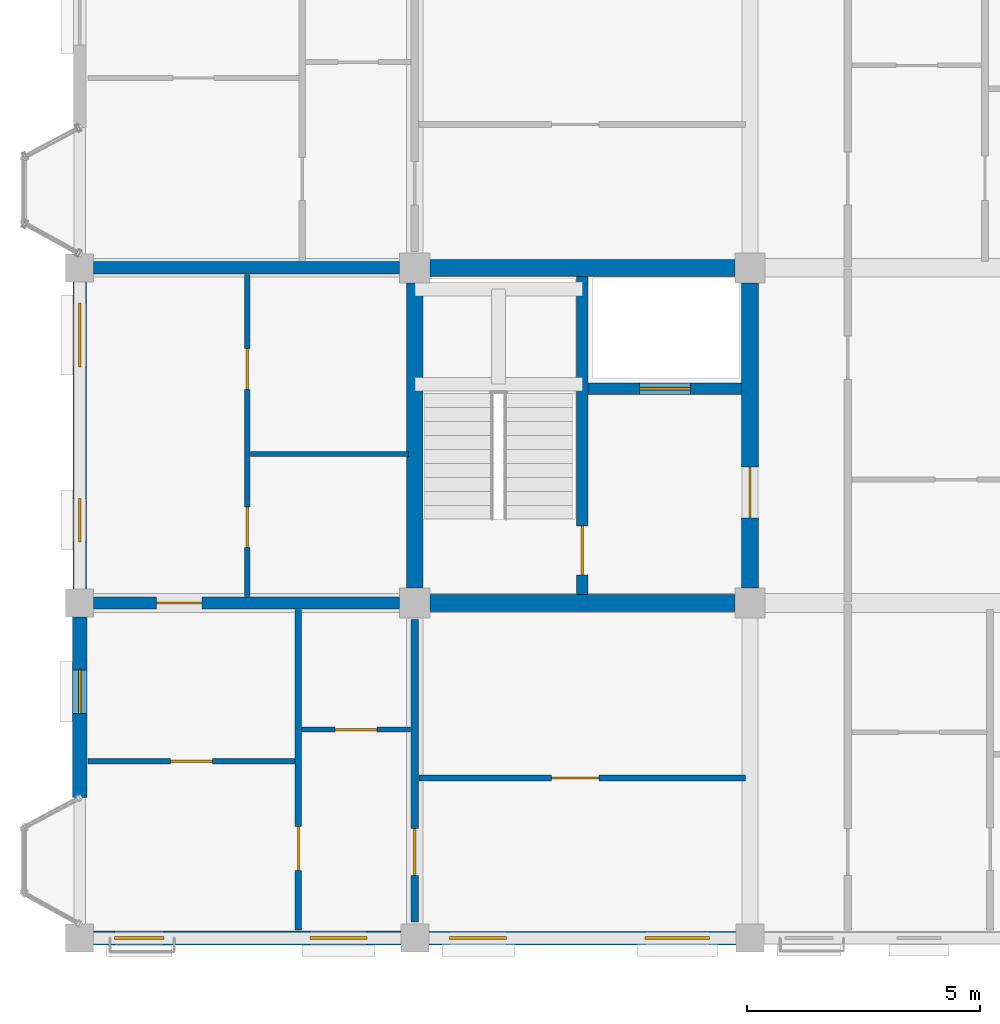
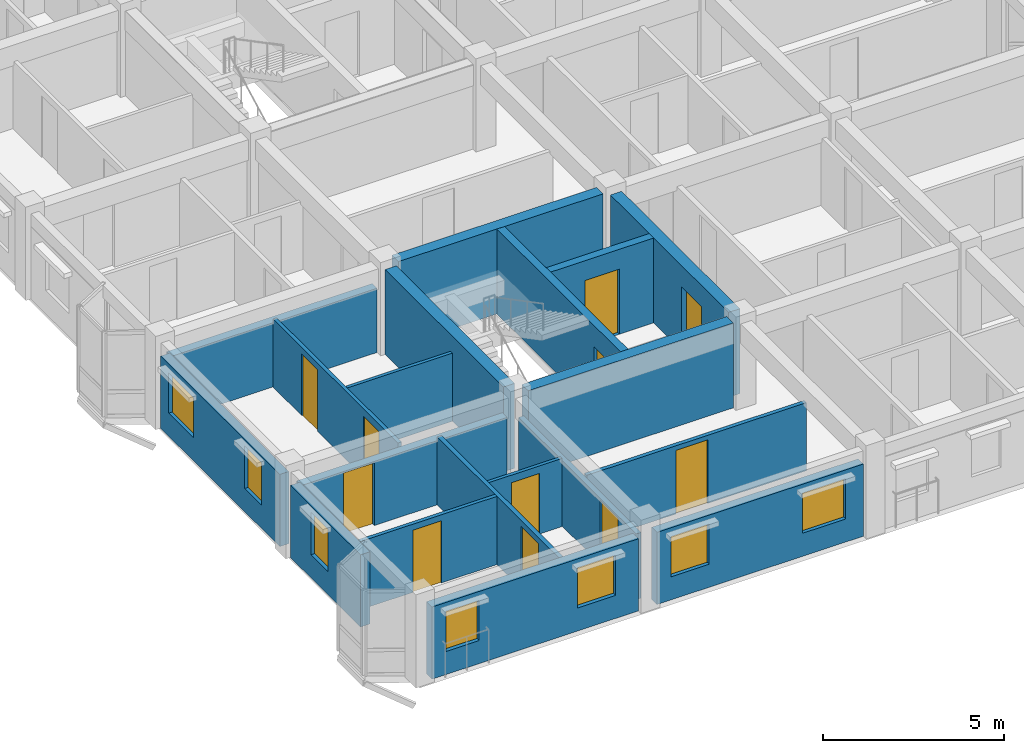
# One storey, part 89 of 124: 19 walls, 11 doors, 7 windows, 18 openings.
"""IFC4 building model written with IfcOpenShell, lengths in metres."""

from ifc_helpers import new_model, si_unit, direction, frame, frame_2d, origin, place, context, subcontext, project, spatial, rectangle, extrude, material, layer, layer_set, type_object, element, fill, save


model = new_model("IFC4")

# Units and contexts
model_context = context("Model", 3, precision=1e-05, world=origin(), true_north=direction((0.0, 1.0)))
body_context = subcontext(model_context, "Body", "Model", "MODEL_VIEW")
ifc_project = project(units=[si_unit("LENGTHUNIT", "METRE"), si_unit("AREAUNIT", "SQUARE_METRE"), si_unit("VOLUMEUNIT", "CUBIC_METRE"), si_unit("PLANEANGLEUNIT", "RADIAN"), si_unit("MASSUNIT", "GRAM", prefix="KILO"), si_unit("THERMODYNAMICTEMPERATUREUNIT", "KELVIN"), si_unit("POWERUNIT", "WATT")], contexts=[model_context])

# Site, building, storey
site_placement = place(None, origin())
site = spatial("IfcSite", under=ifc_project, at=site_placement, CompositionType="ELEMENT")
building_placement = place(site_placement, origin())
building = spatial("IfcBuilding", under=site, at=building_placement, Name="Tavuni Mirador Residences", CompositionType="ELEMENT")
storey_placement = place(building_placement, frame((0.0, 0.0, 7.64990234375)))
storey = spatial("IfcBuildingStorey", under=building, at=storey_placement, Name="L02", CompositionType="ELEMENT", Elevation=7.64990234375)

# Wall, opening, door
ifc_material_1 = material(Name="Precast concrete C40/50", Category="concrete")
ifc_layer_1 = layer(ifc_material_1, 0.25, Name="Precast concrete C40/50", Category="concrete")
ifc_layer_set_1 = layer_set([ifc_layer_1], Name="Precast concrete C40/50")
wall_type_1 = type_object("IfcWallType", Name="WT-COR250", PredefinedType="SHEAR", material=ifc_layer_set_1)
wall_1_placement = place(storey_placement, frame((14.39990234375, 14.580078125, 0.0), z_axis=(0.0, 0.0, 1.0), x_axis=(0.0, 1.0, 0.0)))
wall_1 = element("IfcWall", 1, at=wall_1_placement, inside=storey, type_object=wall_type_1, Name="CWALL-C1-L02-MID", PredefinedType="SHEAR", context=body_context, shape_type="SweptSolid", body=[
    extrude(rectangle(XDim=6.83984375, YDim=0.25, at=frame_2d((3.419921875, 0.0))), origin(), (0.0, 0.0, 1.0), 2.8701171875),
])
opening_1_placement = place(wall_1_placement, frame((0.419921875, 0.0, 0.0)))
opening_1 = element("IfcOpeningElement", 2, at=opening_1_placement, cuts=wall_1, Name="Opening D-01", PredefinedType="OPENING", context=body_context, shape_type="SweptSolid", body=[
    extrude(rectangle(XDim=1.050048828125, YDim=2.14990234375, at=frame_2d((0.52490234375, 1.074951171875))), frame((0.0, 0.135009765625, 0.0), z_axis=(0.0, -1.0, 0.0), x_axis=(1.0, 0.0, 0.0)), (0.0, 0.0, 1.0), 0.27001953125),
])
ifc_material_2 = material(Name="Solid core iroko timber", Category="wood")
door_type_1 = type_object("IfcDoorType", Name="DT-ST1050", OperationType="NOTDEFINED", PredefinedType="DOOR", material=ifc_material_2)
door_1_placement = place(opening_1_placement, origin())
door_1 = element("IfcDoor", 3, at=door_1_placement, inside=storey, type_object=door_type_1, Name="DR-2013", OperationType="SINGLE_SWING_LEFT", OverallHeight=2.14990234375, OverallWidth=1.050048828125, PredefinedType="DOOR", context=body_context, shape_type="SweptSolid", body=[
    extrude(rectangle(XDim=1.050048828125, YDim=2.14990234375, at=frame_2d((0.52490234375, 1.074951171875))), frame((0.0, 0.02490234375, 0.0), z_axis=(0.0, -1.0, 0.0), x_axis=(1.0, 0.0, 0.0)), (0.0, 0.0, 1.0), 0.050048828125),
])
fill(opening_1, door_1)

wall_2_placement = place(storey_placement, frame((14.52490234375, 19.0, 0.0), z_axis=(0.0, 0.0, 1.0), x_axis=(1.0, 0.0, 0.0)))
wall_2 = element("IfcWall", 4, at=wall_2_placement, inside=storey, type_object=wall_type_1, Name="CWALL-C1-L02-SHF", PredefinedType="SHEAR", context=body_context, shape_type="SweptSolid", body=[
    extrude(rectangle(XDim=3.295166015625, YDim=0.25, at=frame_2d((1.6474609375, 0.0))), origin(), (0.0, 0.0, 1.0), 2.8701171875),
])
opening_2_placement = place(wall_2_placement, frame((1.10009765625, 0.0, 0.0)))
opening_2 = element("IfcOpeningElement", 5, at=opening_2_placement, cuts=wall_2, Name="Opening LD-01", PredefinedType="OPENING", context=body_context, shape_type="SweptSolid", body=[
    extrude(rectangle(XDim=1.10009765625, YDim=2.199951171875, at=frame_2d((0.550048828125, 1.10009765625))), frame((0.0, 0.135009765625, 0.0), z_axis=(0.0, -1.0, 0.0), x_axis=(1.0, 0.0, 0.0)), (0.0, 0.0, 1.0), 0.27001953125),
])
ifc_material_3 = material(Name="Structural steel S355", Category="steel")
door_type_2 = type_object("IfcDoorType", Name="DT-LD-FF", OperationType="SLIDING_TO_LEFT", PredefinedType="DOOR", material=ifc_material_3)
door_2_placement = place(opening_2_placement, origin())
door_2 = element("IfcDoor", 6, at=door_2_placement, inside=storey, type_object=door_type_2, Name="Lift landing door FL-A1 L02", OperationType="SLIDING_TO_LEFT", OverallHeight=2.199951171875, OverallWidth=1.10009765625, PredefinedType="DOOR", context=body_context, shape_type="SweptSolid", body=[
    extrude(rectangle(XDim=1.10009765625, YDim=2.199951171875, at=frame_2d((0.550048828125, 1.10009765625))), frame((0.0, 0.02490234375, 0.0), z_axis=(0.0, -1.0, 0.0), x_axis=(1.0, 0.0, 0.0)), (0.0, 0.0, 1.0), 0.050048828125),
])
fill(opening_2, door_2)

# Walls
ifc_layer_2 = layer(ifc_material_1, 0.360107421875, Name="Precast concrete C40/50", Category="concrete")
ifc_layer_set_2 = layer_set([ifc_layer_2], Name="Precast concrete C40/50")
wall_type_2 = type_object("IfcWallType", Name="WT-COR360", PredefinedType="SHEAR", material=ifc_layer_set_2)
wall_3_placement = place(storey_placement, frame((10.800048828125, 14.72509765625, 0.0), z_axis=(0.0, 0.0, 1.0), x_axis=(0.0, 1.0, 0.0)))
element("IfcWall", 7, at=wall_3_placement, inside=storey, type_object=wall_type_2, Name="CWALL-C1-L02-W", PredefinedType="SHEAR", context=body_context, shape_type="SweptSolid", body=[
    extrude(rectangle(XDim=6.5498046875, YDim=0.360107421875, at=frame_2d((3.27490234375, 0.0))), origin(), (0.0, 0.0, 1.0), 2.8701171875),
])
wall_4_placement = place(storey_placement, frame((11.125, 21.60009765625, 0.0), z_axis=(0.0, 0.0, 1.0), x_axis=(1.0, 0.0, 0.0)))
element("IfcWall", 8, at=wall_4_placement, inside=storey, type_object=wall_type_2, Name="CWALL-C1-L02-N", PredefinedType="SHEAR", context=body_context, shape_type="SweptSolid", body=[
    extrude(rectangle(XDim=6.550048828125, YDim=0.360107421875, at=frame_2d((3.27490234375, 0.0))), origin(), (0.0, 0.0, 1.0), 2.8701171875),
])

# Wall, opening, door
wall_5_placement = place(storey_placement, frame((18.0, 14.72509765625, 0.0), z_axis=(0.0, 0.0, 1.0), x_axis=(0.0, 1.0, 0.0)))
wall_5 = element("IfcWall", 9, at=wall_5_placement, inside=storey, type_object=wall_type_2, Name="CWALL-C1-L02-E", PredefinedType="SHEAR", context=body_context, shape_type="SweptSolid", body=[
    extrude(rectangle(XDim=6.5498046875, YDim=0.360107421875, at=frame_2d((3.27490234375, 0.0))), origin(), (0.0, 0.0, 1.0), 2.8701171875),
])
opening_3_placement = place(wall_5_placement, frame((1.5, 0.0, 0.0)))
opening_3 = element("IfcOpeningElement", 10, at=opening_3_placement, cuts=wall_5, Name="Opening D-02", PredefinedType="OPENING", context=body_context, shape_type="SweptSolid", body=[
    extrude(rectangle(XDim=1.10009765625, YDim=2.14990234375, at=frame_2d((0.550048828125, 1.074951171875))), frame((0.0, 0.18994140625, 0.0), z_axis=(0.0, -1.0, 0.0), x_axis=(1.0, 0.0, 0.0)), (0.0, 0.0, 1.0), 0.380126953125),
])
door_type_3 = type_object("IfcDoorType", Name="DT-LOB1100", OperationType="NOTDEFINED", PredefinedType="DOOR", material=ifc_material_2)
door_3_placement = place(opening_3_placement, frame((1.10009765625, 0.0, 0.0), z_axis=(0.0, 0.0, 1.0), x_axis=(-1.0, 0.0, 0.0)))
door_3 = element("IfcDoor", 11, at=door_3_placement, inside=storey, type_object=door_type_3, Name="DR-2012", OperationType="SINGLE_SWING_LEFT", OverallHeight=2.14990234375, OverallWidth=1.10009765625, PredefinedType="DOOR", context=body_context, shape_type="SweptSolid", body=[
    extrude(rectangle(XDim=1.10009765625, YDim=2.14990234375, at=frame_2d((0.550048828125, 1.074951171875))), frame((0.0, 0.02490234375, 0.0), z_axis=(0.0, -1.0, 0.0), x_axis=(1.0, 0.0, 0.0)), (0.0, 0.0, 1.0), 0.050048828125),
])
fill(opening_3, door_3)

# Wall
wall_6_placement = place(storey_placement, frame((11.125, 14.39990234375, 0.0), z_axis=(0.0, 0.0, 1.0), x_axis=(1.0, 0.0, 0.0)))
element("IfcWall", 12, at=wall_6_placement, inside=storey, type_object=wall_type_2, Name="CWALL-C1-L02-SS", PredefinedType="SHEAR", context=body_context, shape_type="SweptSolid", body=[
    extrude(rectangle(XDim=6.550048828125, YDim=0.360107421875, at=frame_2d((3.27490234375, 0.0))), origin(), (0.0, 0.0, 1.0), 2.8701171875),
])

# Wall, opening, door
ifc_layer_3 = layer(ifc_material_1, 0.1650390625, Name="Precast concrete C40/50", Category="concrete")
ifc_layer_set_3 = layer_set([ifc_layer_3], Name="Precast concrete C40/50")
wall_type_3 = type_object("IfcWallType", Name="WT-CORR165", PredefinedType="PARTITIONING", material=ifc_layer_set_3)
wall_7_placement = place(storey_placement, frame((10.800048828125, 7.550048828125, 0.0), z_axis=(0.0, 0.0, 1.0), x_axis=(0.0, 1.0, 0.0)))
wall_7 = element("IfcWall", 13, at=wall_7_placement, inside=storey, type_object=wall_type_3, Name="CORW-BLK-A-L02-1-00", PredefinedType="PARTITIONING", context=body_context, shape_type="SweptSolid", body=[
    extrude(rectangle(XDim=6.5, YDim=0.1650390625, at=frame_2d((3.25, 0.0))), origin(), (0.0, 0.0, 1.0), 2.22021484375),
])
opening_4_placement = place(wall_7_placement, frame((1.0, 0.0, 0.0)))
opening_4 = element("IfcOpeningElement", 14, at=opening_4_placement, cuts=wall_7, Name="Opening D-03", PredefinedType="OPENING", context=body_context, shape_type="SweptSolid", body=[
    extrude(rectangle(XDim=1.0, YDim=2.14990234375, at=frame_2d((0.5, 1.074951171875))), frame((0.0, 0.092529296875, 0.0), z_axis=(0.0, -1.0, 0.0), x_axis=(1.0, 0.0, 0.0)), (0.0, 0.0, 1.0), 0.18505859375),
])
door_type_4 = type_object("IfcDoorType", Name="DT-FD60-1000", OperationType="NOTDEFINED", PredefinedType="DOOR", material=ifc_material_2)
door_4_placement = place(opening_4_placement, origin())
door_4 = element("IfcDoor", 15, at=door_4_placement, inside=storey, type_object=door_type_4, Name="DR-2409", OperationType="SINGLE_SWING_RIGHT", OverallHeight=2.14990234375, OverallWidth=1.0, PredefinedType="DOOR", context=body_context, shape_type="SweptSolid", body=[
    extrude(rectangle(XDim=1.0, YDim=2.14990234375, at=frame_2d((0.5, 1.074951171875))), frame((0.0, 0.02490234375, 0.0), z_axis=(0.0, -1.0, 0.0), x_axis=(1.0, 0.0, 0.0)), (0.0, 0.0, 1.0), 0.050048828125),
])
fill(opening_4, door_4)

# Wall, openings, windows
ifc_material_4 = material(Name="Sgraffito lime-rendered precast concrete C40/50", Category="concrete")
ifc_layer_4 = layer(ifc_material_4, 0.2900390625, Name="Sgraffito lime-rendered precast concrete C40/50", Category="concrete")
ifc_layer_set_4 = layer_set([ifc_layer_4], Name="Sgraffito lime-rendered precast concrete C40/50")
wall_type_4 = type_object("IfcWallType", Name="WT-EXT-PC290", PredefinedType="SOLIDWALL", material=ifc_layer_set_4)
wall_8_placement = place(storey_placement, frame((11.10009765625, 7.199951171875, 0.0), z_axis=(0.0, 0.0, 1.0), x_axis=(1.0, 0.0, 0.0)))
wall_8 = element("IfcWall", 16, at=wall_8_placement, inside=storey, type_object=wall_type_4, Name="EW-BLK-A-L02-S01", PredefinedType="SOLIDWALL", context=body_context, shape_type="SweptSolid", body=[
    extrude(rectangle(XDim=6.599853515625, YDim=0.2900390625, at=frame_2d((3.2998046875, 0.0))), origin(), (0.0, 0.0, 1.0), 2.440185546875),
])
opening_5_placement = place(wall_8_placement, frame((0.449951171875, 0.0, 0.780029296875)))
opening_5 = element("IfcOpeningElement", 17, at=opening_5_placement, cuts=wall_8, Name="Opening WN-21", PredefinedType="OPENING", context=body_context, shape_type="SweptSolid", body=[
    extrude(rectangle(XDim=1.219970703125, YDim=1.360107421875, at=frame_2d((0.60986328125, 0.68017578125))), frame((0.0, 0.155029296875, 0.0), z_axis=(0.0, -1.0, 0.0), x_axis=(1.0, 0.0, 0.0)), (0.0, 0.0, 1.0), 0.31005859375),
])
opening_6_placement = place(wall_8_placement, frame((4.64990234375, 0.0, 0.780029296875)))
opening_6 = element("IfcOpeningElement", 18, at=opening_6_placement, cuts=wall_8, Name="Opening WN-23", PredefinedType="OPENING", context=body_context, shape_type="SweptSolid", body=[
    extrude(rectangle(XDim=1.3798828125, YDim=1.360107421875, at=frame_2d((0.68994140625, 0.68017578125))), frame((0.0, 0.155029296875, 0.0), z_axis=(0.0, -1.0, 0.0), x_axis=(1.0, 0.0, 0.0)), (0.0, 0.0, 1.0), 0.31005859375),
])
ifc_material_5 = material(Name="Laminated solar-control glass", Category="glass")
window_type_1 = type_object("IfcWindowType", Name="WNT-21", PartitioningType="SINGLE_PANEL", PredefinedType="WINDOW", material=ifc_material_5)
window_1_placement = place(opening_5_placement, origin())
window_1 = element("IfcWindow", 19, at=window_1_placement, inside=storey, type_object=window_type_1, Name="WIN-0078", OverallHeight=1.360107421875, OverallWidth=1.219970703125, PartitioningType="SINGLE_PANEL", PredefinedType="WINDOW", context=body_context, shape_type="SweptSolid", body=[
    extrude(rectangle(XDim=1.219970703125, YDim=1.360107421875, at=frame_2d((0.60986328125, 0.68017578125))), frame((0.0, 0.030029296875, 0.0), z_axis=(0.0, -1.0, 0.0), x_axis=(1.0, 0.0, 0.0)), (0.0, 0.0, 1.0), 0.06005859375),
])
fill(opening_5, window_1)
window_type_2 = type_object("IfcWindowType", Name="WNT-23", PartitioningType="SINGLE_PANEL", PredefinedType="WINDOW", material=ifc_material_5)
window_2_placement = place(opening_6_placement, origin())
window_2 = element("IfcWindow", 20, at=window_2_placement, inside=storey, type_object=window_type_2, Name="WIN-0079", OverallHeight=1.360107421875, OverallWidth=1.3798828125, PartitioningType="SINGLE_PANEL", PredefinedType="WINDOW", context=body_context, shape_type="SweptSolid", body=[
    extrude(rectangle(XDim=1.3798828125, YDim=1.360107421875, at=frame_2d((0.68994140625, 0.68017578125))), frame((0.0, 0.030029296875, 0.0), z_axis=(0.0, -1.0, 0.0), x_axis=(1.0, 0.0, 0.0)), (0.0, 0.0, 1.0), 0.06005859375),
])
fill(opening_6, window_2)

wall_9_placement = place(storey_placement, frame((3.60009765625, 21.300048828125, 0.0), z_axis=(0.0, 0.0, 1.0), x_axis=(0.0, -1.0, 0.0)))
wall_9 = element("IfcWall", 21, at=wall_9_placement, inside=storey, type_object=wall_type_4, Name="EW-BLK-A-L02-W01", PredefinedType="SOLIDWALL", context=body_context, shape_type="SweptSolid", body=[
    extrude(rectangle(XDim=6.60009765625, YDim=0.2900390625, at=frame_2d((3.300048828125, 0.0))), origin(), (0.0, 0.0, 1.0), 2.440185546875),
])
opening_7_placement = place(wall_9_placement, frame((0.449951171875, 0.0, 0.780029296875)))
opening_7 = element("IfcOpeningElement", 22, at=opening_7_placement, cuts=wall_9, Name="Opening WN-23", PredefinedType="OPENING", context=body_context, shape_type="SweptSolid", body=[
    extrude(rectangle(XDim=1.3798828125, YDim=1.360107421875, at=frame_2d((0.68994140625, 0.68017578125))), frame((0.0, 0.155029296875, 0.0), z_axis=(0.0, -1.0, 0.0), x_axis=(1.0, 0.0, 0.0)), (0.0, 0.0, 1.0), 0.31005859375),
])
opening_8_placement = place(wall_9_placement, frame((4.64990234375, 0.0, 0.780029296875)))
opening_8 = element("IfcOpeningElement", 23, at=opening_8_placement, cuts=wall_9, Name="Opening WN-25", PredefinedType="OPENING", context=body_context, shape_type="SweptSolid", body=[
    extrude(rectangle(XDim=0.93994140625, YDim=1.43994140625, at=frame_2d((0.469970703125, 0.719970703125))), frame((0.0, 0.155029296875, 0.0), z_axis=(0.0, -1.0, 0.0), x_axis=(1.0, 0.0, 0.0)), (0.0, 0.0, 1.0), 0.31005859375),
])
window_3_placement = place(opening_7_placement, origin())
window_3 = element("IfcWindow", 24, at=window_3_placement, inside=storey, type_object=window_type_2, Name="WIN-0110", OverallHeight=1.360107421875, OverallWidth=1.3798828125, PartitioningType="SINGLE_PANEL", PredefinedType="WINDOW", context=body_context, shape_type="SweptSolid", body=[
    extrude(rectangle(XDim=1.3798828125, YDim=1.360107421875, at=frame_2d((0.68994140625, 0.68017578125))), frame((0.0, 0.030029296875, 0.0), z_axis=(0.0, -1.0, 0.0), x_axis=(1.0, 0.0, 0.0)), (0.0, 0.0, 1.0), 0.06005859375),
])
fill(opening_7, window_3)
window_type_3 = type_object("IfcWindowType", Name="WNT-25", PartitioningType="SINGLE_PANEL", PredefinedType="WINDOW", material=ifc_material_5)
window_4_placement = place(opening_8_placement, origin())
window_4 = element("IfcWindow", 25, at=window_4_placement, inside=storey, type_object=window_type_3, Name="WIN-0111", OverallHeight=1.43994140625, OverallWidth=0.93994140625, PartitioningType="SINGLE_PANEL", PredefinedType="WINDOW", context=body_context, shape_type="SweptSolid", body=[
    extrude(rectangle(XDim=0.93994140625, YDim=1.43994140625, at=frame_2d((0.469970703125, 0.719970703125))), frame((0.0, 0.030029296875, 0.0), z_axis=(0.0, -1.0, 0.0), x_axis=(1.0, 0.0, 0.0)), (0.0, 0.0, 1.0), 0.06005859375),
])
fill(opening_8, window_4)

ifc_layer_5 = layer(ifc_material_4, 0.304931640625, Name="Sgraffito lime-rendered precast concrete C40/50", Category="concrete")
ifc_layer_set_5 = layer_set([ifc_layer_5], Name="Sgraffito lime-rendered precast concrete C40/50")
wall_type_5 = type_object("IfcWallType", Name="WT-EXT-PC305", PredefinedType="SOLIDWALL", material=ifc_layer_set_5)
wall_10_placement = place(storey_placement, frame((3.89990234375, 7.199951171875, 0.0), z_axis=(0.0, 0.0, 1.0), x_axis=(1.0, 0.0, 0.0)))
wall_10 = element("IfcWall", 26, at=wall_10_placement, inside=storey, type_object=wall_type_5, Name="EW-BLK-A-L02-S00", PredefinedType="SOLIDWALL", context=body_context, shape_type="SweptSolid", body=[
    extrude(rectangle(XDim=6.60009765625, YDim=0.304931640625, at=frame_2d((3.300048828125, 0.0))), origin(), (0.0, 0.0, 1.0), 2.440185546875),
])
opening_9_placement = place(wall_10_placement, frame((0.449951171875, 0.0, 0.780029296875)))
opening_9 = element("IfcOpeningElement", 27, at=opening_9_placement, cuts=wall_10, Name="Opening WN-19", PredefinedType="OPENING", context=body_context, shape_type="SweptSolid", body=[
    extrude(rectangle(XDim=1.06005859375, YDim=1.360107421875, at=frame_2d((0.530029296875, 0.68017578125))), frame((0.0, 0.16259765625, 0.0), z_axis=(0.0, -1.0, 0.0), x_axis=(1.0, 0.0, 0.0)), (0.0, 0.0, 1.0), 0.324951171875),
])
opening_10_placement = place(wall_10_placement, frame((4.64990234375, 0.0, 0.780029296875)))
opening_10 = element("IfcOpeningElement", 28, at=opening_10_placement, cuts=wall_10, Name="Opening WN-21", PredefinedType="OPENING", context=body_context, shape_type="SweptSolid", body=[
    extrude(rectangle(XDim=1.219970703125, YDim=1.360107421875, at=frame_2d((0.60986328125, 0.68017578125))), frame((0.0, 0.16259765625, 0.0), z_axis=(0.0, -1.0, 0.0), x_axis=(1.0, 0.0, 0.0)), (0.0, 0.0, 1.0), 0.324951171875),
])
window_type_4 = type_object("IfcWindowType", Name="WNT-19", PartitioningType="SINGLE_PANEL", PredefinedType="WINDOW", material=ifc_material_5)
window_5_placement = place(opening_9_placement, origin())
window_5 = element("IfcWindow", 29, at=window_5_placement, inside=storey, type_object=window_type_4, Name="WIN-0076", OverallHeight=1.360107421875, OverallWidth=1.06005859375, PartitioningType="SINGLE_PANEL", PredefinedType="WINDOW", context=body_context, shape_type="SweptSolid", body=[
    extrude(rectangle(XDim=1.06005859375, YDim=1.360107421875, at=frame_2d((0.530029296875, 0.68017578125))), frame((0.0, 0.030029296875, 0.0), z_axis=(0.0, -1.0, 0.0), x_axis=(1.0, 0.0, 0.0)), (0.0, 0.0, 1.0), 0.06005859375),
])
fill(opening_9, window_5)
window_6_placement = place(opening_10_placement, origin())
window_6 = element("IfcWindow", 30, at=window_6_placement, inside=storey, type_object=window_type_1, Name="WIN-0077", OverallHeight=1.360107421875, OverallWidth=1.219970703125, PartitioningType="SINGLE_PANEL", PredefinedType="WINDOW", context=body_context, shape_type="SweptSolid", body=[
    extrude(rectangle(XDim=1.219970703125, YDim=1.360107421875, at=frame_2d((0.60986328125, 0.68017578125))), frame((0.0, 0.030029296875, 0.0), z_axis=(0.0, -1.0, 0.0), x_axis=(1.0, 0.0, 0.0)), (0.0, 0.0, 1.0), 0.06005859375),
])
fill(opening_10, window_6)

# Wall, opening, window
wall_11_placement = place(storey_placement, frame((3.60009765625, 14.10009765625, 0.0), z_axis=(0.0, 0.0, 1.0), x_axis=(0.0, -1.0, 0.0)))
wall_11 = element("IfcWall", 31, at=wall_11_placement, inside=storey, type_object=wall_type_5, Name="EW-BLK-A-L02-W00", PredefinedType="SOLIDWALL", context=body_context, shape_type="SweptSolid", body=[
    extrude(rectangle(XDim=3.880126953125, YDim=0.304931640625, at=frame_2d((1.93994140625, 0.0))), origin(), (0.0, 0.0, 1.0), 2.440185546875),
])
opening_11_placement = place(wall_11_placement, frame((1.135009765625, 0.0, 0.780029296875)))
opening_11 = element("IfcOpeningElement", 32, at=opening_11_placement, cuts=wall_11, Name="Opening WN-25", PredefinedType="OPENING", context=body_context, shape_type="SweptSolid", body=[
    extrude(rectangle(XDim=0.93994140625, YDim=1.43994140625, at=frame_2d((0.469970703125, 0.719970703125))), frame((0.0, 0.16259765625, 0.0), z_axis=(0.0, -1.0, 0.0), x_axis=(1.0, 0.0, 0.0)), (0.0, 0.0, 1.0), 0.324951171875),
])
window_7_placement = place(opening_11_placement, origin())
window_7 = element("IfcWindow", 33, at=window_7_placement, inside=storey, type_object=window_type_3, Name="WIN-0112", OverallHeight=1.43994140625, OverallWidth=0.93994140625, PartitioningType="SINGLE_PANEL", PredefinedType="WINDOW", context=body_context, shape_type="SweptSolid", body=[
    extrude(rectangle(XDim=0.93994140625, YDim=1.43994140625, at=frame_2d((0.469970703125, 0.719970703125))), frame((0.0, 0.030029296875, 0.0), z_axis=(0.0, -1.0, 0.0), x_axis=(1.0, 0.0, 0.0)), (0.0, 0.0, 1.0), 0.06005859375),
])
fill(opening_11, window_7)

# Wall, opening, door
ifc_material_6 = material(Name="Acoustic gypsum and concrete block partition", Category="concrete")
ifc_layer_6 = layer(ifc_material_6, 0.10498046875, Name="Acoustic gypsum and concrete block partition", Category="concrete")
ifc_layer_set_6 = layer_set([ifc_layer_6], Name="Acoustic gypsum and concrete block partition")
wall_type_6 = type_object("IfcWallType", Name="WT-PART105", PredefinedType="PARTITIONING", material=ifc_layer_set_6)
wall_12_placement = place(storey_placement, frame((8.3701171875, 11.679931640625, 0.0), z_axis=(0.0, 0.0, 1.0), x_axis=(1.0, 0.0, 0.0)))
wall_12 = element("IfcWall", 34, at=wall_12_placement, inside=storey, type_object=wall_type_6, Name="PW-BLK-A-L02-W00-IN1", PredefinedType="PARTITIONING", context=body_context, shape_type="SweptSolid", body=[
    extrude(rectangle(XDim=2.33984375, YDim=0.10498046875, at=frame_2d((1.169921875, 0.0))), origin(), (0.0, 0.0, 1.0), 2.30517578125),
])
opening_12_placement = place(wall_12_placement, frame((0.719970703125, 0.0, 0.0)))
opening_12 = element("IfcOpeningElement", 35, at=opening_12_placement, cuts=wall_12, Name="Opening D-09", PredefinedType="OPENING", context=body_context, shape_type="SweptSolid", body=[
    extrude(rectangle(XDim=0.89990234375, YDim=2.050048828125, at=frame_2d((0.449951171875, 1.02490234375))), frame((0.0, 0.0625, 0.0), z_axis=(0.0, -1.0, 0.0), x_axis=(1.0, 0.0, 0.0)), (0.0, 0.0, 1.0), 0.125),
])
door_type_5 = type_object("IfcDoorType", Name="DT-WC900", OperationType="NOTDEFINED", PredefinedType="DOOR", material=ifc_material_2)
door_5_placement = place(opening_12_placement, origin())
door_5 = element("IfcDoor", 36, at=door_5_placement, inside=storey, type_object=door_type_5, Name="DR-2992", OperationType="SINGLE_SWING_RIGHT", OverallHeight=2.050048828125, OverallWidth=0.89990234375, PredefinedType="DOOR", context=body_context, shape_type="SweptSolid", body=[
    extrude(rectangle(XDim=0.89990234375, YDim=2.050048828125, at=frame_2d((0.449951171875, 1.02490234375))), frame((0.0, 0.02490234375, 0.0), z_axis=(0.0, -1.0, 0.0), x_axis=(1.0, 0.0, 0.0)), (0.0, 0.0, 1.0), 0.050048828125),
])
fill(opening_12, door_5)

# Wall
wall_13_placement = place(storey_placement, frame((7.27001953125, 17.60009765625, 0.0), z_axis=(0.0, 0.0, 1.0), x_axis=(1.0, 0.0, 0.0)))
element("IfcWall", 37, at=wall_13_placement, inside=storey, type_object=wall_type_6, Name="PW-BLK-A-L02-WC01-H", PredefinedType="PARTITIONING", context=body_context, shape_type="SweptSolid", body=[
    extrude(rectangle(XDim=3.389892578125, YDim=0.10498046875, at=frame_2d((1.69482421875, 0.0))), origin(), (0.0, 0.0, 1.0), 2.30517578125),
])

# Wall, opening, door
ifc_layer_7 = layer(ifc_material_6, 0.114990234375, Name="Acoustic gypsum and concrete block partition", Category="concrete")
ifc_layer_set_7 = layer_set([ifc_layer_7], Name="Acoustic gypsum and concrete block partition")
wall_type_7 = type_object("IfcWallType", Name="WT-PART115", PredefinedType="PARTITIONING", material=ifc_layer_set_7)
wall_14_placement = place(storey_placement, frame((3.77490234375, 11.0, 0.0), z_axis=(0.0, 0.0, 1.0), x_axis=(1.0, 0.0, 0.0)))
wall_14 = element("IfcWall", 38, at=wall_14_placement, inside=storey, type_object=wall_type_7, Name="PW-BLK-A-L02-W00-OUT", PredefinedType="PARTITIONING", context=body_context, shape_type="SweptSolid", body=[
    extrude(rectangle(XDim=4.455078125, YDim=0.114990234375, at=frame_2d((2.2275390625, 0.0))), origin(), (0.0, 0.0, 1.0), 2.30517578125),
])
opening_13_placement = place(wall_14_placement, frame((1.777587890625, 0.0, 0.0)))
opening_13 = element("IfcOpeningElement", 39, at=opening_13_placement, cuts=wall_14, Name="Opening D-07", PredefinedType="OPENING", context=body_context, shape_type="SweptSolid", body=[
    extrude(rectangle(XDim=0.89990234375, YDim=2.10009765625, at=frame_2d((0.449951171875, 1.050048828125))), frame((0.0, 0.0673828125, 0.0), z_axis=(0.0, -1.0, 0.0), x_axis=(1.0, 0.0, 0.0)), (0.0, 0.0, 1.0), 0.135009765625),
])
door_type_6 = type_object("IfcDoorType", Name="DT-BED900", OperationType="NOTDEFINED", PredefinedType="DOOR", material=ifc_material_2)
door_6_placement = place(opening_13_placement, origin())
door_6 = element("IfcDoor", 40, at=door_6_placement, inside=storey, type_object=door_type_6, Name="DR-2991", OperationType="SINGLE_SWING_LEFT", OverallHeight=2.10009765625, OverallWidth=0.89990234375, PredefinedType="DOOR", context=body_context, shape_type="SweptSolid", body=[
    extrude(rectangle(XDim=0.89990234375, YDim=2.10009765625, at=frame_2d((0.449951171875, 1.050048828125))), frame((0.0, 0.02490234375, 0.0), z_axis=(0.0, -1.0, 0.0), x_axis=(1.0, 0.0, 0.0)), (0.0, 0.0, 1.0), 0.050048828125),
])
fill(opening_13, door_6)

# Wall, openings, doors
wall_15_placement = place(storey_placement, frame((7.199951171875, 14.5400390625, 0.0), z_axis=(0.0, 0.0, 1.0), x_axis=(0.0, 1.0, 0.0)))
wall_15 = element("IfcWall", 41, at=wall_15_placement, inside=storey, type_object=wall_type_7, Name="PW-BLK-A-L02-WC01-M", PredefinedType="PARTITIONING", context=body_context, shape_type="SweptSolid", body=[
    extrude(rectangle(XDim=6.919921875, YDim=0.114990234375, at=frame_2d((3.4599609375, 0.0))), origin(), (0.0, 0.0, 1.0), 2.30517578125),
])
opening_14_placement = place(wall_15_placement, frame((1.050048828125, 0.0, 0.0)))
opening_14 = element("IfcOpeningElement", 42, at=opening_14_placement, cuts=wall_15, Name="Opening D-10", PredefinedType="OPENING", context=body_context, shape_type="SweptSolid", body=[
    extrude(rectangle(XDim=0.8701171875, YDim=2.050048828125, at=frame_2d((0.43505859375, 1.02490234375))), frame((0.0, 0.0673828125, 0.0), z_axis=(0.0, -1.0, 0.0), x_axis=(1.0, 0.0, 0.0)), (0.0, 0.0, 1.0), 0.135009765625),
])
opening_15_placement = place(wall_15_placement, frame((4.449951171875, 0.0, 0.0)))
opening_15 = element("IfcOpeningElement", 43, at=opening_15_placement, cuts=wall_15, Name="Opening D-08", PredefinedType="OPENING", context=body_context, shape_type="SweptSolid", body=[
    extrude(rectangle(XDim=0.8798828125, YDim=2.080078125, at=frame_2d((0.43994140625, 1.0400390625))), frame((0.0, 0.0673828125, 0.0), z_axis=(0.0, -1.0, 0.0), x_axis=(1.0, 0.0, 0.0)), (0.0, 0.0, 1.0), 0.135009765625),
])
door_type_7 = type_object("IfcDoorType", Name="DT-BED880", OperationType="NOTDEFINED", PredefinedType="DOOR", material=ifc_material_2)
door_7_placement = place(opening_15_placement, origin())
door_7 = element("IfcDoor", 44, at=door_7_placement, inside=storey, type_object=door_type_7, Name="DR-2998", OperationType="SINGLE_SWING_LEFT", OverallHeight=2.080078125, OverallWidth=0.8798828125, PredefinedType="DOOR", context=body_context, shape_type="SweptSolid", body=[
    extrude(rectangle(XDim=0.8798828125, YDim=2.080078125, at=frame_2d((0.43994140625, 1.0400390625))), frame((0.0, 0.02490234375, 0.0), z_axis=(0.0, -1.0, 0.0), x_axis=(1.0, 0.0, 0.0)), (0.0, 0.0, 1.0), 0.050048828125),
])
fill(opening_15, door_7)
door_type_8 = type_object("IfcDoorType", Name="DT-WC870", OperationType="NOTDEFINED", PredefinedType="DOOR", material=ifc_material_2)
door_8_placement = place(opening_14_placement, origin())
door_8 = element("IfcDoor", 45, at=door_8_placement, inside=storey, type_object=door_type_8, Name="DR-2997", OperationType="SINGLE_SWING_RIGHT", OverallHeight=2.050048828125, OverallWidth=0.8701171875, PredefinedType="DOOR", context=body_context, shape_type="SweptSolid", body=[
    extrude(rectangle(XDim=0.8701171875, YDim=2.050048828125, at=frame_2d((0.43505859375, 1.02490234375))), frame((0.0, 0.02490234375, 0.0), z_axis=(0.0, -1.0, 0.0), x_axis=(1.0, 0.0, 0.0)), (0.0, 0.0, 1.0), 0.050048828125),
])
fill(opening_14, door_8)

# Wall, opening, door
ifc_layer_8 = layer(ifc_material_6, 0.125, Name="Acoustic gypsum and concrete block partition", Category="concrete")
ifc_layer_set_8 = layer_set([ifc_layer_8], Name="Acoustic gypsum and concrete block partition")
wall_type_8 = type_object("IfcWallType", Name="WT-PART125", PredefinedType="PARTITIONING", material=ifc_layer_set_8)
wall_16_placement = place(storey_placement, frame((10.889892578125, 10.639892578125, 0.0), z_axis=(0.0, 0.0, 1.0), x_axis=(1.0, 0.0, 0.0)))
wall_16 = element("IfcWall", 46, at=wall_16_placement, inside=storey, type_object=wall_type_8, Name="PW-SPN-BLK-A-L02-00", PredefinedType="PARTITIONING", context=body_context, shape_type="SweptSolid", body=[
    extrude(rectangle(XDim=7.02001953125, YDim=0.125, at=frame_2d((3.510009765625, 0.0))), origin(), (0.0, 0.0, 1.0), 2.30517578125),
])
opening_16_placement = place(wall_16_placement, frame((2.85009765625, 0.0, 0.0)))
opening_16 = element("IfcOpeningElement", 47, at=opening_16_placement, cuts=wall_16, Name="Opening D-13", PredefinedType="OPENING", context=body_context, shape_type="SweptSolid", body=[
    extrude(rectangle(XDim=1.02001953125, YDim=2.14990234375, at=frame_2d((0.510009765625, 1.074951171875))), frame((0.0, 0.072509765625, 0.0), z_axis=(0.0, -1.0, 0.0), x_axis=(1.0, 0.0, 0.0)), (0.0, 0.0, 1.0), 0.14501953125),
])
door_type_9 = type_object("IfcDoorType", Name="DT-MTG1020", OperationType="NOTDEFINED", PredefinedType="DOOR", material=ifc_material_2)
door_9_placement = place(opening_16_placement, origin())
door_9 = element("IfcDoor", 48, at=door_9_placement, inside=storey, type_object=door_type_9, Name="DR-2990", OperationType="SINGLE_SWING_LEFT", OverallHeight=2.14990234375, OverallWidth=1.02001953125, PredefinedType="DOOR", context=body_context, shape_type="SweptSolid", body=[
    extrude(rectangle(XDim=1.02001953125, YDim=2.14990234375, at=frame_2d((0.510009765625, 1.074951171875))), frame((0.0, 0.02490234375, 0.0), z_axis=(0.0, -1.0, 0.0), x_axis=(1.0, 0.0, 0.0)), (0.0, 0.0, 1.0), 0.050048828125),
])
fill(opening_16, door_9)

ifc_layer_9 = layer(ifc_material_6, 0.139892578125, Name="Acoustic gypsum and concrete block partition", Category="concrete")
ifc_layer_set_9 = layer_set([ifc_layer_9], Name="Acoustic gypsum and concrete block partition")
wall_type_9 = type_object("IfcWallType", Name="WT-PART140", PredefinedType="PARTITIONING", material=ifc_layer_set_9)
wall_17_placement = place(storey_placement, frame((8.300048828125, 7.375, 0.0), z_axis=(0.0, 0.0, 1.0), x_axis=(0.0, 1.0, 0.0)))
wall_17 = element("IfcWall", 49, at=wall_17_placement, inside=storey, type_object=wall_type_9, Name="PW-BLK-A-L02-W00-MID", PredefinedType="PARTITIONING", context=body_context, shape_type="SweptSolid", body=[
    extrude(rectangle(XDim=6.885009765625, YDim=0.139892578125, at=frame_2d((3.4423828125, 0.0))), origin(), (0.0, 0.0, 1.0), 2.30517578125),
])
opening_17_placement = place(wall_17_placement, frame((1.27490234375, 0.0, 0.0)))
opening_17 = element("IfcOpeningElement", 50, at=opening_17_placement, cuts=wall_17, Name="Opening D-05", PredefinedType="OPENING", context=body_context, shape_type="SweptSolid", body=[
    extrude(rectangle(XDim=0.949951171875, YDim=2.10009765625, at=frame_2d((0.47509765625, 1.050048828125))), frame((0.0, 0.080078125, 0.0), z_axis=(0.0, -1.0, 0.0), x_axis=(1.0, 0.0, 0.0)), (0.0, 0.0, 1.0), 0.159912109375),
])
door_type_10 = type_object("IfcDoorType", Name="DT-INT950", OperationType="NOTDEFINED", PredefinedType="DOOR", material=ifc_material_2)
door_10_placement = place(opening_17_placement, origin())
door_10 = element("IfcDoor", 51, at=door_10_placement, inside=storey, type_object=door_type_10, Name="DR-2993", OperationType="SINGLE_SWING_LEFT", OverallHeight=2.10009765625, OverallWidth=0.949951171875, PredefinedType="DOOR", context=body_context, shape_type="SweptSolid", body=[
    extrude(rectangle(XDim=0.949951171875, YDim=2.10009765625, at=frame_2d((0.47509765625, 1.050048828125))), frame((0.0, 0.02490234375, 0.0), z_axis=(0.0, -1.0, 0.0), x_axis=(1.0, 0.0, 0.0)), (0.0, 0.0, 1.0), 0.050048828125),
])
fill(opening_17, door_10)

ifc_layer_10 = layer(ifc_material_1, 0.264892578125, Name="Precast concrete C40/50", Category="concrete")
ifc_layer_set_10 = layer_set([ifc_layer_10], Name="Precast concrete C40/50")
wall_type_10 = type_object("IfcWallType", Name="WT-XW265", PredefinedType="SOLIDWALL", material=ifc_layer_set_10)
wall_18_placement = place(storey_placement, frame((3.89990234375, 14.39990234375, 0.0), z_axis=(0.0, 0.0, 1.0), x_axis=(1.0, 0.0, 0.0)))
wall_18 = element("IfcWall", 52, at=wall_18_placement, inside=storey, type_object=wall_type_10, Name="XW-BLK-A-L02-W-01", PredefinedType="SOLIDWALL", context=body_context, shape_type="SweptSolid", body=[
    extrude(rectangle(XDim=6.5751953125, YDim=0.264892578125, at=frame_2d((3.28759765625, 0.0))), origin(), (0.0, 0.0, 1.0), 2.170166015625),
])
opening_18_placement = place(wall_18_placement, frame((1.35009765625, 0.0, 0.0)))
opening_18 = element("IfcOpeningElement", 53, at=opening_18_placement, cuts=wall_18, Name="Opening D-04", PredefinedType="OPENING", context=body_context, shape_type="SweptSolid", body=[
    extrude(rectangle(XDim=0.97998046875, YDim=2.1201171875, at=frame_2d((0.489990234375, 1.06005859375))), frame((0.0, 0.142578125, 0.0), z_axis=(0.0, -1.0, 0.0), x_axis=(1.0, 0.0, 0.0)), (0.0, 0.0, 1.0), 0.284912109375),
])
door_type_11 = type_object("IfcDoorType", Name="DT-FD60-980", OperationType="NOTDEFINED", PredefinedType="DOOR", material=ifc_material_2)
door_11_placement = place(opening_18_placement, origin())
door_11 = element("IfcDoor", 54, at=door_11_placement, inside=storey, type_object=door_type_11, Name="DR-4678", OperationType="SINGLE_SWING_LEFT", OverallHeight=2.1201171875, OverallWidth=0.97998046875, PredefinedType="DOOR", context=body_context, shape_type="SweptSolid", body=[
    extrude(rectangle(XDim=0.97998046875, YDim=2.1201171875, at=frame_2d((0.489990234375, 1.06005859375))), frame((0.0, 0.02490234375, 0.0), z_axis=(0.0, -1.0, 0.0), x_axis=(1.0, 0.0, 0.0)), (0.0, 0.0, 1.0), 0.050048828125),
])
fill(opening_18, door_11)

# Wall
wall_19_placement = place(storey_placement, frame((3.89990234375, 21.60009765625, 0.0), z_axis=(0.0, 0.0, 1.0), x_axis=(1.0, 0.0, 0.0)))
element("IfcWall", 55, at=wall_19_placement, inside=storey, type_object=wall_type_10, Name="XW-BLK-A-L02-W-02", PredefinedType="SOLIDWALL", context=body_context, shape_type="SweptSolid", body=[
    extrude(rectangle(XDim=6.5751953125, YDim=0.264892578125, at=frame_2d((3.28759765625, 0.0))), origin(), (0.0, 0.0, 1.0), 2.170166015625),
])

save(model, "model.ifc")
